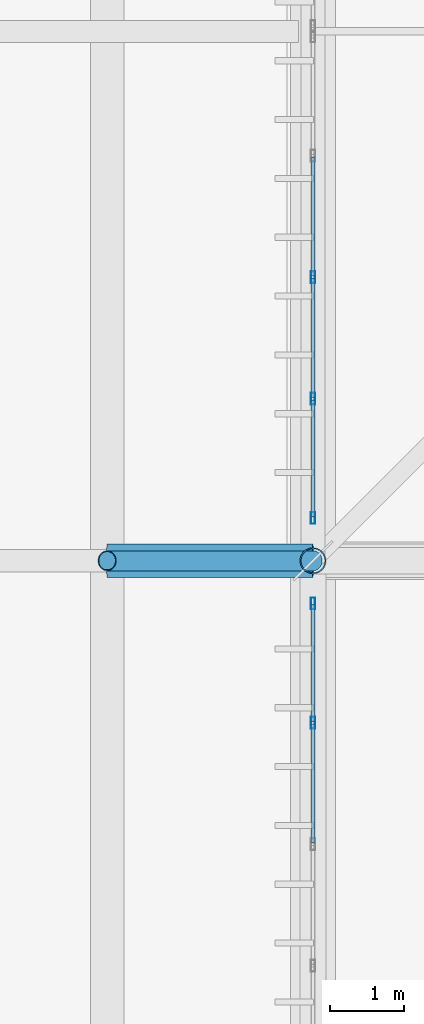
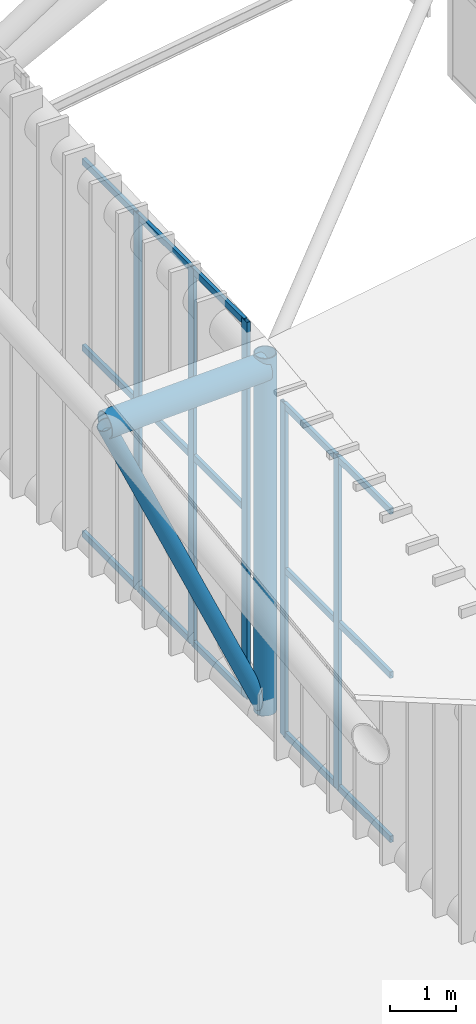
# One storey, part 51 of 397: 22 members, 1 beam, 2 elements without a shape of their own.
"""IFC4 building model written with IfcOpenShell, lengths in metres."""

from ifc_helpers import new_model, si_unit, direction, frame, origin, origin_2d, place, context, subcontext, project, spatial, hollow_rectangle, hollow_circle, extrude, material, material_profile, profile_set, type_object, element, aggregate, save


model = new_model("IFC4")

# Units and contexts
model_context = context("Model", 3, precision=1e-05, world=origin(), true_north=direction((0.0, 1.0)))
body_context = subcontext(model_context, "Body", "Model", "MODEL_VIEW")
ifc_project = project(units=[si_unit("LENGTHUNIT", "METRE"), si_unit("AREAUNIT", "SQUARE_METRE"), si_unit("VOLUMEUNIT", "CUBIC_METRE"), si_unit("PLANEANGLEUNIT", "RADIAN"), si_unit("MASSUNIT", "GRAM", prefix="KILO")], contexts=[model_context])

# Site, building, storey
site_placement = place(None, origin())
site = spatial("IfcSite", under=ifc_project, at=site_placement, CompositionType="ELEMENT")
building_placement = place(site_placement, origin())
building = spatial("IfcBuilding", under=site, at=building_placement, Name="Qandorah Velis Arena", CompositionType="ELEMENT")
storey_placement = place(building_placement, frame((0.0, 0.0, 27.5)))
storey = spatial("IfcBuildingStorey", under=building, at=storey_placement, Name="RF", CompositionType="ELEMENT", Elevation=27.5)

# Curtain wall, members
ifc_material_1 = material(Name="Solar-control low-E double glazing", Category="glass")
curtain_wall_type = type_object("IfcCurtainWallType", Name="ARC-CW-SYS03", PredefinedType="USERDEFINED", material=ifc_material_1)
curtain_wall_1_placement = place(storey_placement, origin())
curtain_wall_1 = element("IfcCurtainWall", 1, at=curtain_wall_1_placement, inside=storey, type_object=curtain_wall_type, Name="Unitised curtain wall CROWN-1-02S2", ObjectType="UNITISED CURTAIN WALL", PredefinedType="USERDEFINED")
ifc_material_2 = material(Name="Champagne-bronze anodized aluminium 6063-T6", Category="aluminium")
ifc_material_profile_1 = material_profile(ifc_material_2, hollow_rectangle(XDim=0.06005859375, YDim=0.159912109375, WallThickness=0.00341796875, at=origin_2d()), Name="ALU MULLION 60x160")
ifc_profile_set_1 = profile_set([ifc_material_profile_1], Name="Champagne-bronze anodized aluminium 6063-T6")
member_type_1 = type_object("IfcMemberType", Name="ARC-CWM-160", PredefinedType="MULLION", material=ifc_profile_set_1)
member_1_placement = place(storey_placement, frame((14.39990234375, 40.99755859375, -0.014892578125), z_axis=(0.0, 0.0, 1.0), x_axis=(-1.0, 0.0, 0.0)))
member_1 = element("IfcMember", 2, at=member_1_placement, type_object=member_type_1, Name="CW03 mullion 4", PredefinedType="MULLION", context=body_context, shape_type="SweptSolid", body=[
    extrude(hollow_rectangle(XDim=0.06005859375, YDim=0.159912109375, WallThickness=0.00341796875, at=origin_2d()), origin(), (0.0, 0.0, 1.0), 6.159423828125),
])
member_2_placement = place(storey_placement, frame((14.39990234375, 42.6201171875, -0.014892578125), z_axis=(0.0, 0.0, 1.0), x_axis=(-1.0, 0.0, 0.0)))
member_2 = element("IfcMember", 3, at=member_2_placement, type_object=member_type_1, Name="CW03 mullion 5", PredefinedType="MULLION", context=body_context, shape_type="SweptSolid", body=[
    extrude(hollow_rectangle(XDim=0.06005859375, YDim=0.159912109375, WallThickness=0.00341796875, at=origin_2d()), origin(), (0.0, 0.0, 1.0), 6.159423828125),
])

curtain_wall_2_placement = place(storey_placement, origin())
curtain_wall_2 = element("IfcCurtainWall", 4, at=curtain_wall_2_placement, inside=storey, type_object=curtain_wall_type, Name="Unitised curtain wall CROWN-1-03S1", ObjectType="UNITISED CURTAIN WALL", PredefinedType="USERDEFINED")
member_3_placement = place(storey_placement, frame((14.39990234375, 43.780029296875, -0.014892578125), z_axis=(0.0, 0.0, 1.0), x_axis=(-1.0, 0.0, 0.0)))
member_3 = element("IfcMember", 5, at=member_3_placement, type_object=member_type_1, Name="CW03 mullion 1", PredefinedType="MULLION", context=body_context, shape_type="SweptSolid", body=[
    extrude(hollow_rectangle(XDim=0.06005859375, YDim=0.159912109375, WallThickness=0.00341796875, at=origin_2d()), origin(), (0.0, 0.0, 1.0), 6.9765625),
])
member_4_placement = place(storey_placement, frame((14.39990234375, 45.402587890625, -0.014892578125), z_axis=(0.0, 0.0, 1.0), x_axis=(-1.0, 0.0, 0.0)))
member_4 = element("IfcMember", 6, at=member_4_placement, type_object=member_type_1, Name="CW03 mullion 2", PredefinedType="MULLION", context=body_context, shape_type="SweptSolid", body=[
    extrude(hollow_rectangle(XDim=0.06005859375, YDim=0.159912109375, WallThickness=0.00341796875, at=origin_2d()), origin(), (0.0, 0.0, 1.0), 6.9765625),
])
member_5_placement = place(storey_placement, frame((14.39990234375, 47.054931640625, -0.014892578125), z_axis=(0.0, 0.0, 1.0), x_axis=(-1.0, 0.0, 0.0)))
member_5 = element("IfcMember", 7, at=member_5_placement, type_object=member_type_1, Name="CW03 mullion 3", PredefinedType="MULLION", context=body_context, shape_type="SweptSolid", body=[
    extrude(hollow_rectangle(XDim=0.06005859375, YDim=0.159912109375, WallThickness=0.00341796875, at=origin_2d()), origin(), (0.0, 0.0, 1.0), 6.9765625),
])

# Member
ifc_material_profile_2 = material_profile(ifc_material_2, hollow_rectangle(XDim=0.06005859375, YDim=0.1201171875, WallThickness=0.0029296875, at=origin_2d()), Name="ALU TRANSOM 60x120")
ifc_profile_set_2 = profile_set([ifc_material_profile_2], Name="Champagne-bronze anodized aluminium 6063-T6")
member_type_2 = type_object("IfcMemberType", Name="ARC-CWT-120", PredefinedType="USERDEFINED", material=ifc_profile_set_2)
member_6_placement = place(storey_placement, frame((14.39990234375, 39.363037109375, 0.030029296875), z_axis=(0.0, 1.0, 0.0), x_axis=(-1.0, 0.0, 0.0)))
member_6 = element("IfcMember", 8, at=member_6_placement, type_object=member_type_2, Name="CW03 transom 3.1", ObjectType="TRANSOM", PredefinedType="USERDEFINED", context=body_context, shape_type="SweptSolid", body=[
    extrude(hollow_rectangle(XDim=0.06005859375, YDim=0.1201171875, WallThickness=0.0029296875, at=origin_2d()), origin(), (0.0, 0.0, 1.0), 1.616455078125),
])

member_7_placement = place(storey_placement, frame((14.39990234375, 39.363037109375, 3.064697265625), z_axis=(0.0, 1.0, 0.0), x_axis=(-1.0, 0.0, 0.0)))
member_7 = element("IfcMember", 9, at=member_7_placement, type_object=member_type_2, Name="CW03 transom 3.2", ObjectType="TRANSOM", PredefinedType="USERDEFINED", context=body_context, shape_type="SweptSolid", body=[
    extrude(hollow_rectangle(XDim=0.06005859375, YDim=0.1201171875, WallThickness=0.0029296875, at=origin_2d()), origin(), (0.0, 0.0, 1.0), 1.616455078125),
])

member_8_placement = place(storey_placement, frame((14.39990234375, 39.363037109375, 6.099609375), z_axis=(0.0, 1.0, 0.0), x_axis=(-1.0, 0.0, 0.0)))
member_8 = element("IfcMember", 10, at=member_8_placement, type_object=member_type_2, Name="CW03 transom 3.3", ObjectType="TRANSOM", PredefinedType="USERDEFINED", context=body_context, shape_type="SweptSolid", body=[
    extrude(hollow_rectangle(XDim=0.06005859375, YDim=0.1201171875, WallThickness=0.0029296875, at=origin_2d()), origin(), (0.0, 0.0, 1.0), 1.616455078125),
])

member_9_placement = place(storey_placement, frame((14.39990234375, 41.015380859375, 0.030029296875), z_axis=(0.0, 1.0, 0.0), x_axis=(-1.0, 0.0, 0.0)))
member_9 = element("IfcMember", 11, at=member_9_placement, type_object=member_type_2, Name="CW03 transom 4.1", ObjectType="TRANSOM", PredefinedType="USERDEFINED", context=body_context, shape_type="SweptSolid", body=[
    extrude(hollow_rectangle(XDim=0.06005859375, YDim=0.1201171875, WallThickness=0.0029296875, at=origin_2d()), origin(), (0.0, 0.0, 1.0), 1.586669921875),
])

member_10_placement = place(storey_placement, frame((14.39990234375, 41.015380859375, 3.064697265625), z_axis=(0.0, 1.0, 0.0), x_axis=(-1.0, 0.0, 0.0)))
member_10 = element("IfcMember", 12, at=member_10_placement, type_object=member_type_2, Name="CW03 transom 4.2", ObjectType="TRANSOM", PredefinedType="USERDEFINED", context=body_context, shape_type="SweptSolid", body=[
    extrude(hollow_rectangle(XDim=0.06005859375, YDim=0.1201171875, WallThickness=0.0029296875, at=origin_2d()), origin(), (0.0, 0.0, 1.0), 1.586669921875),
])

member_11_placement = place(storey_placement, frame((14.39990234375, 41.015380859375, 6.099609375), z_axis=(0.0, 1.0, 0.0), x_axis=(-1.0, 0.0, 0.0)))
member_11 = element("IfcMember", 13, at=member_11_placement, type_object=member_type_2, Name="CW03 transom 4.3", ObjectType="TRANSOM", PredefinedType="USERDEFINED", context=body_context, shape_type="SweptSolid", body=[
    extrude(hollow_rectangle(XDim=0.06005859375, YDim=0.1201171875, WallThickness=0.0029296875, at=origin_2d()), origin(), (0.0, 0.0, 1.0), 1.586669921875),
])

aggregate(curtain_wall_1, [member_1, member_2, member_6, member_7, member_8, member_9, member_10, member_11])

member_12_placement = place(storey_placement, frame((14.39990234375, 43.798095703125, 0.030029296875), z_axis=(0.0, 1.0, 0.0), x_axis=(-1.0, 0.0, 0.0)))
member_12 = element("IfcMember", 14, at=member_12_placement, type_object=member_type_2, Name="CW03 transom 1.1", ObjectType="TRANSOM", PredefinedType="USERDEFINED", context=body_context, shape_type="SweptSolid", body=[
    extrude(hollow_rectangle(XDim=0.06005859375, YDim=0.1201171875, WallThickness=0.0029296875, at=origin_2d()), origin(), (0.0, 0.0, 1.0), 1.58642578125),
])

member_13_placement = place(storey_placement, frame((14.39990234375, 43.798095703125, 3.473388671875), z_axis=(0.0, 1.0, 0.0), x_axis=(-1.0, 0.0, 0.0)))
member_13 = element("IfcMember", 15, at=member_13_placement, type_object=member_type_2, Name="CW03 transom 1.2", ObjectType="TRANSOM", PredefinedType="USERDEFINED", context=body_context, shape_type="SweptSolid", body=[
    extrude(hollow_rectangle(XDim=0.06005859375, YDim=0.1201171875, WallThickness=0.0029296875, at=origin_2d()), origin(), (0.0, 0.0, 1.0), 1.58642578125),
])

member_14_placement = place(storey_placement, frame((14.39990234375, 43.798095703125, 6.916748046875), z_axis=(0.0, 1.0, 0.0), x_axis=(-1.0, 0.0, 0.0)))
member_14 = element("IfcMember", 16, at=member_14_placement, type_object=member_type_2, Name="CW03 transom 1.3", ObjectType="TRANSOM", PredefinedType="USERDEFINED", context=body_context, shape_type="SweptSolid", body=[
    extrude(hollow_rectangle(XDim=0.06005859375, YDim=0.1201171875, WallThickness=0.0029296875, at=origin_2d()), origin(), (0.0, 0.0, 1.0), 1.58642578125),
])

member_15_placement = place(storey_placement, frame((14.39990234375, 45.42041015625, 0.030029296875), z_axis=(0.0, 1.0, 0.0), x_axis=(-1.0, 0.0, 0.0)))
member_15 = element("IfcMember", 17, at=member_15_placement, type_object=member_type_2, Name="CW03 transom 2.1", ObjectType="TRANSOM", PredefinedType="USERDEFINED", context=body_context, shape_type="SweptSolid", body=[
    extrude(hollow_rectangle(XDim=0.06005859375, YDim=0.1201171875, WallThickness=0.0029296875, at=origin_2d()), origin(), (0.0, 0.0, 1.0), 1.61669921875),
])

member_16_placement = place(storey_placement, frame((14.39990234375, 45.42041015625, 3.473388671875), z_axis=(0.0, 1.0, 0.0), x_axis=(-1.0, 0.0, 0.0)))
member_16 = element("IfcMember", 18, at=member_16_placement, type_object=member_type_2, Name="CW03 transom 2.2", ObjectType="TRANSOM", PredefinedType="USERDEFINED", context=body_context, shape_type="SweptSolid", body=[
    extrude(hollow_rectangle(XDim=0.06005859375, YDim=0.1201171875, WallThickness=0.0029296875, at=origin_2d()), origin(), (0.0, 0.0, 1.0), 1.61669921875),
])

member_17_placement = place(storey_placement, frame((14.39990234375, 45.42041015625, 6.916748046875), z_axis=(0.0, 1.0, 0.0), x_axis=(-1.0, 0.0, 0.0)))
member_17 = element("IfcMember", 19, at=member_17_placement, type_object=member_type_2, Name="CW03 transom 2.3", ObjectType="TRANSOM", PredefinedType="USERDEFINED", context=body_context, shape_type="SweptSolid", body=[
    extrude(hollow_rectangle(XDim=0.06005859375, YDim=0.1201171875, WallThickness=0.0029296875, at=origin_2d()), origin(), (0.0, 0.0, 1.0), 1.61669921875),
])

member_18_placement = place(storey_placement, frame((14.39990234375, 47.072998046875, 0.030029296875), z_axis=(0.0, 1.0, 0.0), x_axis=(-1.0, 0.0, 0.0)))
member_18 = element("IfcMember", 20, at=member_18_placement, type_object=member_type_2, Name="CW03 transom 3.1", ObjectType="TRANSOM", PredefinedType="USERDEFINED", context=body_context, shape_type="SweptSolid", body=[
    extrude(hollow_rectangle(XDim=0.06005859375, YDim=0.1201171875, WallThickness=0.0029296875, at=origin_2d()), origin(), (0.0, 0.0, 1.0), 1.616455078125),
])

member_19_placement = place(storey_placement, frame((14.39990234375, 47.072998046875, 3.473388671875), z_axis=(0.0, 1.0, 0.0), x_axis=(-1.0, 0.0, 0.0)))
member_19 = element("IfcMember", 21, at=member_19_placement, type_object=member_type_2, Name="CW03 transom 3.2", ObjectType="TRANSOM", PredefinedType="USERDEFINED", context=body_context, shape_type="SweptSolid", body=[
    extrude(hollow_rectangle(XDim=0.06005859375, YDim=0.1201171875, WallThickness=0.0029296875, at=origin_2d()), origin(), (0.0, 0.0, 1.0), 1.616455078125),
])

member_20_placement = place(storey_placement, frame((14.39990234375, 47.072998046875, 6.916748046875), z_axis=(0.0, 1.0, 0.0), x_axis=(-1.0, 0.0, 0.0)))
member_20 = element("IfcMember", 22, at=member_20_placement, type_object=member_type_2, Name="CW03 transom 3.3", ObjectType="TRANSOM", PredefinedType="USERDEFINED", context=body_context, shape_type="SweptSolid", body=[
    extrude(hollow_rectangle(XDim=0.06005859375, YDim=0.1201171875, WallThickness=0.0029296875, at=origin_2d()), origin(), (0.0, 0.0, 1.0), 1.616455078125),
])

aggregate(curtain_wall_2, [member_3, member_4, member_5, member_12, member_13, member_14, member_15, member_16, member_17, member_18, member_19, member_20])

# Beam
ifc_material_3 = material(Name="Steel S355", Category="steel")
ifc_material_profile_3 = material_profile(ifc_material_3, hollow_circle(Radius=0.228515625, WallThickness=0.01611328125, at=origin_2d()), Name="CHS 457x16")
ifc_profile_set_3 = profile_set([ifc_material_profile_3], Name="Steel S355")
beam_type = type_object("IfcBeamType", Name="STR-SFC-CHS457X16", PredefinedType="USERDEFINED", material=ifc_profile_set_3)
beam_placement = place(storey_placement, frame((14.39990234375, 43.199951171875, 6.448486328125), z_axis=(-0.999361521522, 0.0, -0.035728830121), x_axis=(0.0, -1.0, 0.0)))
element("IfcBeam", 23, at=beam_placement, inside=storey, type_object=beam_type, Name="Space frame eave outrigger W-2", ObjectType="ROOF TRUSS", PredefinedType="USERDEFINED", context=body_context, shape_type="SweptSolid", body=[
    extrude(hollow_circle(Radius=0.228515625, WallThickness=0.01611328125, at=origin_2d()), origin(), (0.0, 0.0, 1.0), 2.801513671875),
])

# Members
ifc_material_profile_4 = material_profile(ifc_material_3, hollow_circle(Radius=0.136474609375, WallThickness=0.012451171875, at=origin_2d()), Name="CHS 273x12.5")
ifc_profile_set_4 = profile_set([ifc_material_profile_4], Name="Steel S355")
member_type_3 = type_object("IfcMemberType", Name="STR-SFD-CHS273X12", PredefinedType="STRUT", material=ifc_profile_set_4)
member_21_placement = place(storey_placement, frame((14.39990234375, 43.199951171875, 0.10009765625), z_axis=(-0.408915636228, 0.0, 0.912572190267), x_axis=(0.0, -1.0, 0.0)))
element("IfcMember", 24, at=member_21_placement, inside=storey, type_object=member_type_3, Name="Space frame eave raking strut W-2", PredefinedType="STRUT", context=body_context, shape_type="SweptSolid", body=[
    extrude(hollow_circle(Radius=0.136474609375, WallThickness=0.012451171875, at=origin_2d()), origin(), (0.0, 0.0, 1.0), 6.846923828125),
])
ifc_material_profile_5 = material_profile(ifc_material_3, hollow_circle(Radius=0.177734375, WallThickness=0.01611328125, at=origin_2d()), Name="CHS 355.6x16")
ifc_profile_set_5 = profile_set([ifc_material_profile_5], Name="Steel S355")
member_type_4 = type_object("IfcMemberType", Name="STR-SFD-CHS355X16", PredefinedType="STRUT", material=ifc_profile_set_5)
member_22_placement = place(storey_placement, frame((14.39990234375, 43.199951171875, 0.10009765625), z_axis=(0.0, 0.0, 1.0), x_axis=(1.0, 0.0, 0.0)))
element("IfcMember", 25, at=member_22_placement, inside=storey, type_object=member_type_4, Name="Space frame roof vertical post 0.2", PredefinedType="STRUT", context=body_context, shape_type="SweptSolid", body=[
    extrude(hollow_circle(Radius=0.177734375, WallThickness=0.01611328125, at=origin_2d()), origin(), (0.0, 0.0, 1.0), 6.6083984375),
])

save(model, "model.ifc")
